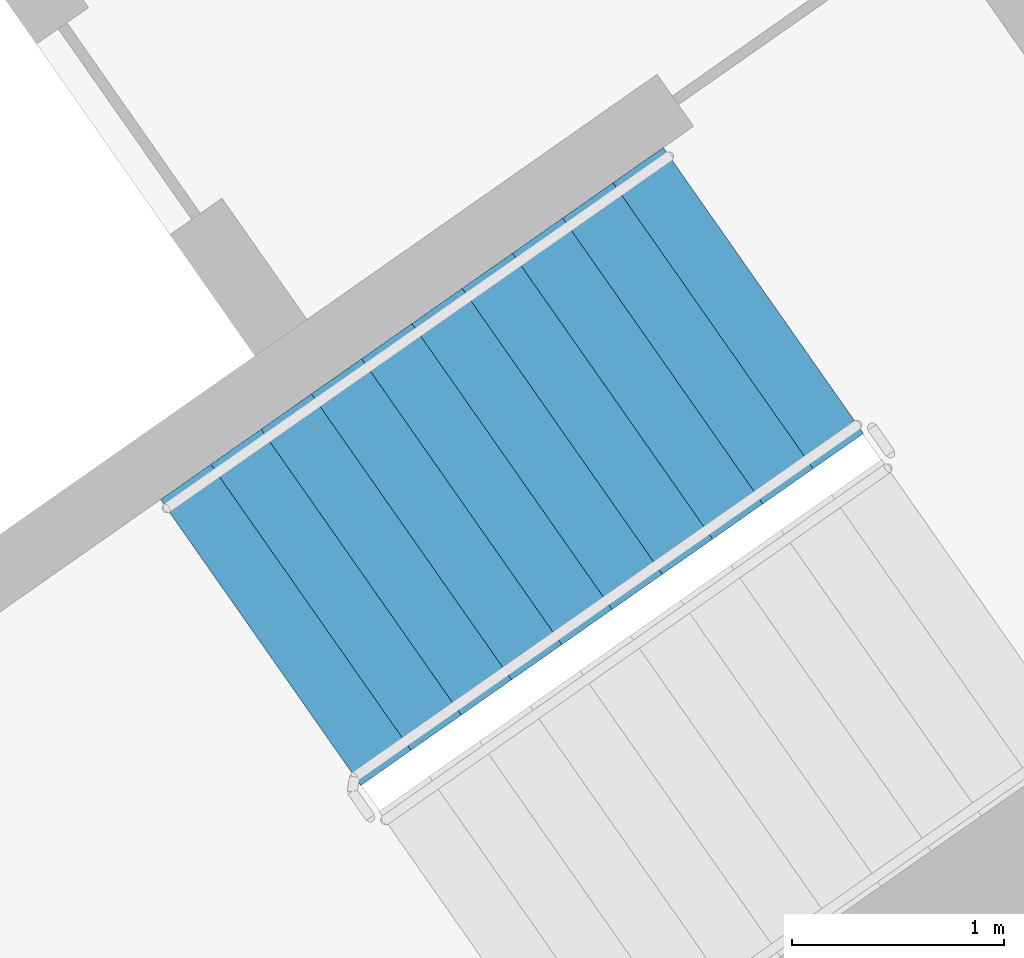
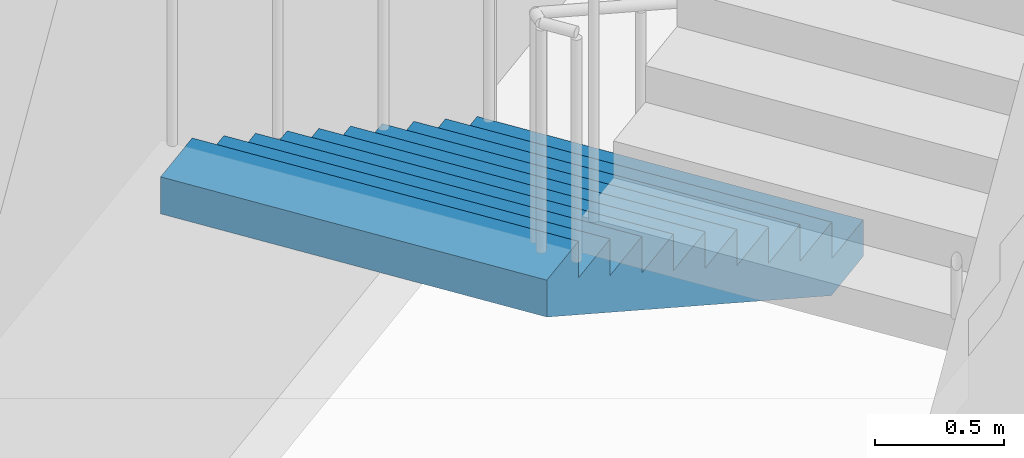
# One storey, part 13 of 28: 1 stair flight, 1 element without a shape of its own.
"""IFC4 building model written with IfcOpenShell, lengths in metres."""

from ifc_helpers import new_model, si_unit, direction, frame, origin, place, context, subcontext, project, spatial, faceted_brep, material, type_object, element, aggregate, save


model = new_model("IFC4")

# Units and contexts
model_context = context("Model", 3, precision=1e-05, world=origin(), true_north=direction((0.0, 1.0)))
body_context = subcontext(model_context, "Body", "Model", "MODEL_VIEW")
ifc_project = project(units=[si_unit("LENGTHUNIT", "METRE"), si_unit("AREAUNIT", "SQUARE_METRE"), si_unit("VOLUMEUNIT", "CUBIC_METRE"), si_unit("PLANEANGLEUNIT", "RADIAN"), si_unit("MASSUNIT", "GRAM", prefix="KILO")], contexts=[model_context])

# Site, building, storey
site_placement = place(None, origin())
site = spatial("IfcSite", under=ifc_project, at=site_placement, CompositionType="ELEMENT")
building_placement = place(site_placement, origin())
building = spatial("IfcBuilding", under=site, at=building_placement, Name="Qamariyya Broadcast Tower", CompositionType="ELEMENT")
storey_placement = place(building_placement, frame((0.0, 0.0, 245.5)))
storey = spatial("IfcBuildingStorey", under=building, at=storey_placement, Name="L59", CompositionType="ELEMENT", Elevation=245.5)

# Stair, stair flight
ifc_material = material(Name="Concrete C50/60", Category="concrete")
stair_type = type_object("IfcStairType", Name="Exit stair 22 risers of 173 mm", PredefinedType="HALF_TURN_STAIR", material=ifc_material)
stair_placement = place(storey_placement, origin())
stair = element("IfcStair", 1, at=stair_placement, inside=storey, type_object=stair_type, Name="L59 Stair E1", PredefinedType="HALF_TURN_STAIR")
stair_flight_type = type_object("IfcStairFlightType", Name="Exit stair flight 11 risers of 173 mm", PredefinedType="STRAIGHT", material=ifc_material)
stair_flight_placement = place(storey_placement, frame((46.036376953125, -55.508056640625, 0.0), z_axis=(0.0, 0.0, 1.0), x_axis=(-0.819152044289, -0.573576436351, 0.0)))
stair_flight = element("IfcStairFlight", 2, at=stair_flight_placement, type_object=stair_flight_type, Name="ST-E1 flight 1", NumberOfRisers=11, NumberOfTreads=10, PredefinedType="STRAIGHT", RiserHeight=0.172727273, TreadLength=0.29, context=body_context, shape_type="Brep", body=[
    faceted_brep([(0.0, 0.824951171875, 0.0), (0.0, 0.824951171875, 0.172607421875), (0.2900390625, 0.824951171875, 0.172607421875), (0.2900390625, 0.824951171875, 0.345458984375), (0.580078125, 0.824951171875, 0.345458984375), (0.580078125, 0.824951171875, 0.51806640625), (0.8701171875, 0.824951171875, 0.51806640625), (0.8701171875, 0.824951171875, 0.69091796875), (1.159912109375, 0.824951171875, 0.69091796875), (1.159912109375, 0.824951171875, 0.863525390625), (1.449951171875, 0.824951171875, 0.863525390625), (1.449951171875, 0.824951171875, 1.036376953125), (1.739990234375, 0.824951171875, 1.036376953125), (1.739990234375, 0.824951171875, 1.208984375), (2.030029296875, 0.824951171875, 1.208984375), (2.030029296875, 0.824951171875, 1.3818359375), (2.320068359375, 0.824951171875, 1.3818359375), (2.320068359375, 0.824951171875, 1.554443359375), (2.610107421875, 0.824951171875, 1.554443359375), (2.610107421875, 0.824951171875, 1.727294921875), (2.89990234375, 0.824951171875, 1.727294921875), (2.89990234375, 0.824951171875, 1.552734375), (0.29296875, 0.824951171875, 0.0), (0.29296875, -0.824951171875, 0.0), (2.89990234375, -0.824951171875, 1.552734375), (2.89990234375, -0.824951171875, 1.727294921875), (2.610107421875, -0.824951171875, 1.727294921875), (2.610107421875, -0.824951171875, 1.554443359375), (2.320068359375, -0.824951171875, 1.554443359375), (2.320068359375, -0.824951171875, 1.3818359375), (2.030029296875, -0.824951171875, 1.3818359375), (2.030029296875, -0.824951171875, 1.208984375), (1.739990234375, -0.824951171875, 1.208984375), (1.739990234375, -0.824951171875, 1.036376953125), (1.449951171875, -0.824951171875, 1.036376953125), (1.449951171875, -0.824951171875, 0.863525390625), (1.159912109375, -0.824951171875, 0.863525390625), (1.159912109375, -0.824951171875, 0.69091796875), (0.8701171875, -0.824951171875, 0.69091796875), (0.8701171875, -0.824951171875, 0.51806640625), (0.580078125, -0.824951171875, 0.51806640625), (0.580078125, -0.824951171875, 0.345458984375), (0.2900390625, -0.824951171875, 0.345458984375), (0.2900390625, -0.824951171875, 0.172607421875), (0.0, -0.824951171875, 0.172607421875), (0.0, -0.824951171875, 0.0), (0.0, 0.10009765625, 0.0), (0.0, 0.086669921875, 0.0), (0.0, 0.0732421875, 0.0), (0.0, 0.06005859375, 0.0), (0.0, 0.046630859375, 0.0), (0.0, 0.033447265625, 0.0), (0.0, 0.02001953125, 0.0), (0.0, 0.006591796875, 0.0), (0.0, -0.006591796875, 0.0), (0.0, -0.02001953125, 0.0), (0.0, -0.033447265625, 0.0), (0.0, -0.046630859375, 0.0), (0.0, -0.06005859375, 0.0), (0.0, -0.0732421875, 0.0), (0.0, -0.086669921875, 0.0), (0.0, -0.10009765625, 0.0), (0.0, -0.10009765625, 0.172607421875), (0.0, -0.086669921875, 0.172607421875), (0.0, -0.0732421875, 0.172607421875), (0.0, -0.06005859375, 0.172607421875), (0.0, -0.046630859375, 0.172607421875), (0.0, -0.033447265625, 0.172607421875), (0.0, -0.02001953125, 0.172607421875), (0.0, -0.006591796875, 0.172607421875), (0.0, 0.006591796875, 0.172607421875), (0.0, 0.02001953125, 0.172607421875), (0.0, 0.033447265625, 0.172607421875), (0.0, 0.046630859375, 0.172607421875), (0.0, 0.06005859375, 0.172607421875), (0.0, 0.0732421875, 0.172607421875), (0.0, 0.086669921875, 0.172607421875), (0.0, 0.10009765625, 0.172607421875), (0.2900390625, -0.10009765625, 0.172607421875), (0.2900390625, -0.086669921875, 0.172607421875), (0.2900390625, -0.0732421875, 0.172607421875), (0.2900390625, -0.06005859375, 0.172607421875), (0.2900390625, -0.046630859375, 0.172607421875), (0.2900390625, -0.033447265625, 0.172607421875), (0.2900390625, -0.02001953125, 0.172607421875), (0.2900390625, -0.006591796875, 0.172607421875), (0.2900390625, 0.006591796875, 0.172607421875), (0.2900390625, 0.02001953125, 0.172607421875), (0.2900390625, 0.033447265625, 0.172607421875), (0.2900390625, 0.046630859375, 0.172607421875), (0.2900390625, 0.06005859375, 0.172607421875), (0.2900390625, 0.0732421875, 0.172607421875), (0.2900390625, 0.086669921875, 0.172607421875), (0.2900390625, 0.10009765625, 0.172607421875), (0.2900390625, -0.10009765625, 0.345458984375), (0.2900390625, -0.086669921875, 0.345458984375), (0.2900390625, -0.0732421875, 0.345458984375), (0.2900390625, -0.06005859375, 0.345458984375), (0.2900390625, -0.046630859375, 0.345458984375), (0.2900390625, -0.033447265625, 0.345458984375), (0.2900390625, -0.02001953125, 0.345458984375), (0.2900390625, -0.006591796875, 0.345458984375), (0.2900390625, 0.006591796875, 0.345458984375), (0.2900390625, 0.02001953125, 0.345458984375), (0.2900390625, 0.033447265625, 0.345458984375), (0.2900390625, 0.046630859375, 0.345458984375), (0.2900390625, 0.06005859375, 0.345458984375), (0.2900390625, 0.0732421875, 0.345458984375), (0.2900390625, 0.086669921875, 0.345458984375), (0.2900390625, 0.10009765625, 0.345458984375), (0.580078125, -0.10009765625, 0.345458984375), (0.580078125, -0.086669921875, 0.345458984375), (0.580078125, -0.0732421875, 0.345458984375), (0.580078125, -0.06005859375, 0.345458984375), (0.580078125, -0.046630859375, 0.345458984375), (0.580078125, -0.033447265625, 0.345458984375), (0.580078125, -0.02001953125, 0.345458984375), (0.580078125, -0.006591796875, 0.345458984375), (0.580078125, 0.006591796875, 0.345458984375), (0.580078125, 0.02001953125, 0.345458984375), (0.580078125, 0.033447265625, 0.345458984375), (0.580078125, 0.046630859375, 0.345458984375), (0.580078125, 0.06005859375, 0.345458984375), (0.580078125, 0.0732421875, 0.345458984375), (0.580078125, 0.086669921875, 0.345458984375), (0.580078125, 0.10009765625, 0.345458984375), (0.580078125, -0.10009765625, 0.51806640625), (0.580078125, -0.086669921875, 0.51806640625), (0.580078125, -0.0732421875, 0.51806640625), (0.580078125, -0.06005859375, 0.51806640625), (0.580078125, -0.046630859375, 0.51806640625), (0.580078125, -0.033447265625, 0.51806640625), (0.580078125, -0.02001953125, 0.51806640625), (0.580078125, -0.006591796875, 0.51806640625), (0.580078125, 0.006591796875, 0.51806640625), (0.580078125, 0.02001953125, 0.51806640625), (0.580078125, 0.033447265625, 0.51806640625), (0.580078125, 0.046630859375, 0.51806640625), (0.580078125, 0.06005859375, 0.51806640625), (0.580078125, 0.0732421875, 0.51806640625), (0.580078125, 0.086669921875, 0.51806640625), (0.580078125, 0.10009765625, 0.51806640625), (0.8701171875, -0.10009765625, 0.51806640625), (0.8701171875, -0.086669921875, 0.51806640625), (0.8701171875, -0.0732421875, 0.51806640625), (0.8701171875, -0.06005859375, 0.51806640625), (0.8701171875, -0.046630859375, 0.51806640625), (0.8701171875, -0.033447265625, 0.51806640625), (0.8701171875, -0.02001953125, 0.51806640625), (0.8701171875, -0.006591796875, 0.51806640625), (0.8701171875, 0.006591796875, 0.51806640625), (0.8701171875, 0.02001953125, 0.51806640625), (0.8701171875, 0.033447265625, 0.51806640625), (0.8701171875, 0.046630859375, 0.51806640625), (0.8701171875, 0.06005859375, 0.51806640625), (0.8701171875, 0.0732421875, 0.51806640625), (0.8701171875, 0.086669921875, 0.51806640625), (0.8701171875, 0.10009765625, 0.51806640625), (0.8701171875, -0.10009765625, 0.69091796875), (0.8701171875, -0.086669921875, 0.69091796875), (0.8701171875, -0.0732421875, 0.69091796875), (0.8701171875, -0.06005859375, 0.69091796875), (0.8701171875, -0.046630859375, 0.69091796875), (0.8701171875, -0.033447265625, 0.69091796875), (0.8701171875, -0.02001953125, 0.69091796875), (0.8701171875, -0.006591796875, 0.69091796875), (0.8701171875, 0.006591796875, 0.69091796875), (0.8701171875, 0.02001953125, 0.69091796875), (0.8701171875, 0.033447265625, 0.69091796875), (0.8701171875, 0.046630859375, 0.69091796875), (0.8701171875, 0.06005859375, 0.69091796875), (0.8701171875, 0.0732421875, 0.69091796875), (0.8701171875, 0.086669921875, 0.69091796875), (0.8701171875, 0.10009765625, 0.69091796875), (1.159912109375, -0.10009765625, 0.69091796875), (1.159912109375, -0.086669921875, 0.69091796875), (1.159912109375, -0.0732421875, 0.69091796875), (1.159912109375, -0.06005859375, 0.69091796875), (1.159912109375, -0.046630859375, 0.69091796875), (1.159912109375, -0.033447265625, 0.69091796875), (1.159912109375, -0.02001953125, 0.69091796875), (1.159912109375, -0.006591796875, 0.69091796875), (1.159912109375, 0.006591796875, 0.69091796875), (1.159912109375, 0.02001953125, 0.69091796875), (1.159912109375, 0.033447265625, 0.69091796875), (1.159912109375, 0.046630859375, 0.69091796875), (1.159912109375, 0.06005859375, 0.69091796875), (1.159912109375, 0.0732421875, 0.69091796875), (1.159912109375, 0.086669921875, 0.69091796875), (1.159912109375, 0.10009765625, 0.69091796875), (1.159912109375, -0.10009765625, 0.863525390625), (1.159912109375, -0.086669921875, 0.863525390625), (1.159912109375, -0.0732421875, 0.863525390625), (1.159912109375, -0.06005859375, 0.863525390625), (1.159912109375, -0.046630859375, 0.863525390625), (1.159912109375, -0.033447265625, 0.863525390625), (1.159912109375, -0.02001953125, 0.863525390625), (1.159912109375, -0.006591796875, 0.863525390625), (1.159912109375, 0.006591796875, 0.863525390625), (1.159912109375, 0.02001953125, 0.863525390625), (1.159912109375, 0.033447265625, 0.863525390625), (1.159912109375, 0.046630859375, 0.863525390625), (1.159912109375, 0.06005859375, 0.863525390625), (1.159912109375, 0.0732421875, 0.863525390625), (1.159912109375, 0.086669921875, 0.863525390625), (1.159912109375, 0.10009765625, 0.863525390625), (1.449951171875, -0.10009765625, 0.863525390625), (1.449951171875, -0.086669921875, 0.863525390625), (1.449951171875, -0.0732421875, 0.863525390625), (1.449951171875, -0.06005859375, 0.863525390625), (1.449951171875, -0.046630859375, 0.863525390625), (1.449951171875, -0.033447265625, 0.863525390625), (1.449951171875, -0.02001953125, 0.863525390625), (1.449951171875, -0.006591796875, 0.863525390625), (1.449951171875, 0.006591796875, 0.863525390625), (1.449951171875, 0.02001953125, 0.863525390625), (1.449951171875, 0.033447265625, 0.863525390625), (1.449951171875, 0.046630859375, 0.863525390625), (1.449951171875, 0.06005859375, 0.863525390625), (1.449951171875, 0.0732421875, 0.863525390625), (1.449951171875, 0.086669921875, 0.863525390625), (1.449951171875, 0.10009765625, 0.863525390625), (1.449951171875, -0.10009765625, 1.036376953125), (1.449951171875, -0.086669921875, 1.036376953125), (1.449951171875, -0.0732421875, 1.036376953125), (1.449951171875, -0.06005859375, 1.036376953125), (1.449951171875, -0.046630859375, 1.036376953125), (1.449951171875, -0.033447265625, 1.036376953125), (1.449951171875, -0.02001953125, 1.036376953125), (1.449951171875, -0.006591796875, 1.036376953125), (1.449951171875, 0.006591796875, 1.036376953125), (1.449951171875, 0.02001953125, 1.036376953125), (1.449951171875, 0.033447265625, 1.036376953125), (1.449951171875, 0.046630859375, 1.036376953125), (1.449951171875, 0.06005859375, 1.036376953125), (1.449951171875, 0.0732421875, 1.036376953125), (1.449951171875, 0.086669921875, 1.036376953125), (1.449951171875, 0.10009765625, 1.036376953125), (1.739990234375, -0.10009765625, 1.036376953125), (1.739990234375, -0.086669921875, 1.036376953125), (1.739990234375, -0.0732421875, 1.036376953125), (1.739990234375, -0.06005859375, 1.036376953125), (1.739990234375, -0.046630859375, 1.036376953125), (1.739990234375, -0.033447265625, 1.036376953125), (1.739990234375, -0.02001953125, 1.036376953125), (1.739990234375, -0.006591796875, 1.036376953125), (1.739990234375, 0.006591796875, 1.036376953125), (1.739990234375, 0.02001953125, 1.036376953125), (1.739990234375, 0.033447265625, 1.036376953125), (1.739990234375, 0.046630859375, 1.036376953125), (1.739990234375, 0.06005859375, 1.036376953125), (1.739990234375, 0.0732421875, 1.036376953125), (1.739990234375, 0.086669921875, 1.036376953125), (1.739990234375, 0.10009765625, 1.036376953125), (1.739990234375, -0.10009765625, 1.208984375), (1.739990234375, -0.086669921875, 1.208984375), (1.739990234375, -0.0732421875, 1.208984375), (1.739990234375, -0.06005859375, 1.208984375), (1.739990234375, -0.046630859375, 1.208984375), (1.739990234375, -0.033447265625, 1.208984375), (1.739990234375, -0.02001953125, 1.208984375), (1.739990234375, -0.006591796875, 1.208984375), (1.739990234375, 0.006591796875, 1.208984375), (1.739990234375, 0.02001953125, 1.208984375), (1.739990234375, 0.033447265625, 1.208984375), (1.739990234375, 0.046630859375, 1.208984375), (1.739990234375, 0.06005859375, 1.208984375), (1.739990234375, 0.0732421875, 1.208984375), (1.739990234375, 0.086669921875, 1.208984375), (1.739990234375, 0.10009765625, 1.208984375), (2.030029296875, -0.10009765625, 1.208984375), (2.030029296875, -0.086669921875, 1.208984375), (2.030029296875, -0.0732421875, 1.208984375), (2.030029296875, -0.06005859375, 1.208984375), (2.030029296875, -0.046630859375, 1.208984375), (2.030029296875, -0.033447265625, 1.208984375), (2.030029296875, -0.02001953125, 1.208984375), (2.030029296875, -0.006591796875, 1.208984375), (2.030029296875, 0.006591796875, 1.208984375), (2.030029296875, 0.02001953125, 1.208984375), (2.030029296875, 0.033447265625, 1.208984375), (2.030029296875, 0.046630859375, 1.208984375), (2.030029296875, 0.06005859375, 1.208984375), (2.030029296875, 0.0732421875, 1.208984375), (2.030029296875, 0.086669921875, 1.208984375), (2.030029296875, 0.10009765625, 1.208984375), (2.030029296875, -0.10009765625, 1.3818359375), (2.030029296875, -0.086669921875, 1.3818359375), (2.030029296875, -0.0732421875, 1.3818359375), (2.030029296875, -0.06005859375, 1.3818359375), (2.030029296875, -0.046630859375, 1.3818359375), (2.030029296875, -0.033447265625, 1.3818359375), (2.030029296875, -0.02001953125, 1.3818359375), (2.030029296875, -0.006591796875, 1.3818359375), (2.030029296875, 0.006591796875, 1.3818359375), (2.030029296875, 0.02001953125, 1.3818359375), (2.030029296875, 0.033447265625, 1.3818359375), (2.030029296875, 0.046630859375, 1.3818359375), (2.030029296875, 0.06005859375, 1.3818359375), (2.030029296875, 0.0732421875, 1.3818359375), (2.030029296875, 0.086669921875, 1.3818359375), (2.030029296875, 0.10009765625, 1.3818359375), (2.320068359375, -0.10009765625, 1.3818359375), (2.320068359375, -0.086669921875, 1.3818359375), (2.320068359375, -0.0732421875, 1.3818359375), (2.320068359375, -0.06005859375, 1.3818359375), (2.320068359375, -0.046630859375, 1.3818359375), (2.320068359375, -0.033447265625, 1.3818359375), (2.320068359375, -0.02001953125, 1.3818359375), (2.320068359375, -0.006591796875, 1.3818359375), (2.320068359375, 0.006591796875, 1.3818359375), (2.320068359375, 0.02001953125, 1.3818359375), (2.320068359375, 0.033447265625, 1.3818359375), (2.320068359375, 0.046630859375, 1.3818359375), (2.320068359375, 0.06005859375, 1.3818359375), (2.320068359375, 0.0732421875, 1.3818359375), (2.320068359375, 0.086669921875, 1.3818359375), (2.320068359375, 0.10009765625, 1.3818359375), (2.320068359375, -0.10009765625, 1.554443359375), (2.320068359375, -0.086669921875, 1.554443359375), (2.320068359375, -0.0732421875, 1.554443359375), (2.320068359375, -0.06005859375, 1.554443359375), (2.320068359375, -0.046630859375, 1.554443359375), (2.320068359375, -0.033447265625, 1.554443359375), (2.320068359375, -0.02001953125, 1.554443359375), (2.320068359375, -0.006591796875, 1.554443359375), (2.320068359375, 0.006591796875, 1.554443359375), (2.320068359375, 0.02001953125, 1.554443359375), (2.320068359375, 0.033447265625, 1.554443359375), (2.320068359375, 0.046630859375, 1.554443359375), (2.320068359375, 0.06005859375, 1.554443359375), (2.320068359375, 0.0732421875, 1.554443359375), (2.320068359375, 0.086669921875, 1.554443359375), (2.320068359375, 0.10009765625, 1.554443359375), (2.610107421875, -0.10009765625, 1.554443359375), (2.610107421875, -0.086669921875, 1.554443359375), (2.610107421875, -0.0732421875, 1.554443359375), (2.610107421875, -0.06005859375, 1.554443359375), (2.610107421875, -0.046630859375, 1.554443359375), (2.610107421875, -0.033447265625, 1.554443359375), (2.610107421875, -0.02001953125, 1.554443359375), (2.610107421875, -0.006591796875, 1.554443359375), (2.610107421875, 0.006591796875, 1.554443359375), (2.610107421875, 0.02001953125, 1.554443359375), (2.610107421875, 0.033447265625, 1.554443359375), (2.610107421875, 0.046630859375, 1.554443359375), (2.610107421875, 0.06005859375, 1.554443359375), (2.610107421875, 0.0732421875, 1.554443359375), (2.610107421875, 0.086669921875, 1.554443359375), (2.610107421875, 0.10009765625, 1.554443359375), (2.610107421875, -0.10009765625, 1.727294921875), (2.610107421875, -0.086669921875, 1.727294921875), (2.610107421875, -0.0732421875, 1.727294921875), (2.610107421875, -0.06005859375, 1.727294921875), (2.610107421875, -0.046630859375, 1.727294921875), (2.610107421875, -0.033447265625, 1.727294921875), (2.610107421875, -0.02001953125, 1.727294921875), (2.610107421875, -0.006591796875, 1.727294921875), (2.610107421875, 0.006591796875, 1.727294921875), (2.610107421875, 0.02001953125, 1.727294921875), (2.610107421875, 0.033447265625, 1.727294921875), (2.610107421875, 0.046630859375, 1.727294921875), (2.610107421875, 0.06005859375, 1.727294921875), (2.610107421875, 0.0732421875, 1.727294921875), (2.610107421875, 0.086669921875, 1.727294921875), (2.610107421875, 0.10009765625, 1.727294921875), (2.89990234375, -0.10009765625, 1.727294921875), (2.89990234375, -0.086669921875, 1.727294921875), (2.89990234375, -0.0732421875, 1.727294921875), (2.89990234375, -0.06005859375, 1.727294921875), (2.89990234375, -0.046630859375, 1.727294921875), (2.89990234375, -0.033447265625, 1.727294921875), (2.89990234375, -0.02001953125, 1.727294921875), (2.89990234375, -0.006591796875, 1.727294921875), (2.89990234375, 0.006591796875, 1.727294921875), (2.89990234375, 0.02001953125, 1.727294921875), (2.89990234375, 0.033447265625, 1.727294921875), (2.89990234375, 0.046630859375, 1.727294921875), (2.89990234375, 0.06005859375, 1.727294921875), (2.89990234375, 0.0732421875, 1.727294921875), (2.89990234375, 0.086669921875, 1.727294921875), (2.89990234375, 0.10009765625, 1.727294921875), (2.89990234375, -0.10009765625, 1.552734375), (2.89990234375, -0.086669921875, 1.552734375), (2.89990234375, -0.0732421875, 1.552734375), (2.89990234375, -0.06005859375, 1.552734375), (2.89990234375, -0.046630859375, 1.552734375), (2.89990234375, -0.033447265625, 1.552734375), (2.89990234375, -0.02001953125, 1.552734375), (2.89990234375, -0.006591796875, 1.552734375), (2.89990234375, 0.006591796875, 1.552734375), (2.89990234375, 0.02001953125, 1.552734375), (2.89990234375, 0.033447265625, 1.552734375), (2.89990234375, 0.046630859375, 1.552734375), (2.89990234375, 0.06005859375, 1.552734375), (2.89990234375, 0.0732421875, 1.552734375), (2.89990234375, 0.086669921875, 1.552734375), (2.89990234375, 0.10009765625, 1.552734375), (0.29296875, -0.10009765625, 0.0), (0.29296875, -0.086669921875, 0.0), (0.29296875, -0.0732421875, 0.0), (0.29296875, -0.06005859375, 0.0), (0.29296875, -0.046630859375, 0.0), (0.29296875, -0.033447265625, 0.0), (0.29296875, -0.02001953125, 0.0), (0.29296875, -0.006591796875, 0.0), (0.29296875, 0.006591796875, 0.0), (0.29296875, 0.02001953125, 0.0), (0.29296875, 0.033447265625, 0.0), (0.29296875, 0.046630859375, 0.0), (0.29296875, 0.06005859375, 0.0), (0.29296875, 0.0732421875, 0.0), (0.29296875, 0.086669921875, 0.0), (0.29296875, 0.10009765625, 0.0)], [[[0, 1, 2, 3, 4, 5, 6, 7, 8, 9, 10, 11, 12, 13, 14, 15, 16, 17, 18, 19, 20, 21, 22]], [[23, 24, 25, 26, 27, 28, 29, 30, 31, 32, 33, 34, 35, 36, 37, 38, 39, 40, 41, 42, 43, 44, 45]], [[0, 46, 47, 48, 49, 50, 51, 52, 53, 54, 55, 56, 57, 58, 59, 60, 61, 45, 44, 62, 63, 64, 65, 66, 67, 68, 69, 70, 71, 72, 73, 74, 75, 76, 77, 1]], [[1, 77, 76, 75, 74, 73, 72, 71, 70, 69, 68, 67, 66, 65, 64, 63, 62, 44, 43, 78, 79, 80, 81, 82, 83, 84, 85, 86, 87, 88, 89, 90, 91, 92, 93, 2]], [[2, 93, 92, 91, 90, 89, 88, 87, 86, 85, 84, 83, 82, 81, 80, 79, 78, 43, 42, 94, 95, 96, 97, 98, 99, 100, 101, 102, 103, 104, 105, 106, 107, 108, 109, 3]], [[3, 109, 108, 107, 106, 105, 104, 103, 102, 101, 100, 99, 98, 97, 96, 95, 94, 42, 41, 110, 111, 112, 113, 114, 115, 116, 117, 118, 119, 120, 121, 122, 123, 124, 125, 4]], [[4, 125, 124, 123, 122, 121, 120, 119, 118, 117, 116, 115, 114, 113, 112, 111, 110, 41, 40, 126, 127, 128, 129, 130, 131, 132, 133, 134, 135, 136, 137, 138, 139, 140, 141, 5]], [[5, 141, 140, 139, 138, 137, 136, 135, 134, 133, 132, 131, 130, 129, 128, 127, 126, 40, 39, 142, 143, 144, 145, 146, 147, 148, 149, 150, 151, 152, 153, 154, 155, 156, 157, 6]], [[6, 157, 156, 155, 154, 153, 152, 151, 150, 149, 148, 147, 146, 145, 144, 143, 142, 39, 38, 158, 159, 160, 161, 162, 163, 164, 165, 166, 167, 168, 169, 170, 171, 172, 173, 7]], [[7, 173, 172, 171, 170, 169, 168, 167, 166, 165, 164, 163, 162, 161, 160, 159, 158, 38, 37, 174, 175, 176, 177, 178, 179, 180, 181, 182, 183, 184, 185, 186, 187, 188, 189, 8]], [[8, 189, 188, 187, 186, 185, 184, 183, 182, 181, 180, 179, 178, 177, 176, 175, 174, 37, 36, 190, 191, 192, 193, 194, 195, 196, 197, 198, 199, 200, 201, 202, 203, 204, 205, 9]], [[9, 205, 204, 203, 202, 201, 200, 199, 198, 197, 196, 195, 194, 193, 192, 191, 190, 36, 35, 206, 207, 208, 209, 210, 211, 212, 213, 214, 215, 216, 217, 218, 219, 220, 221, 10]], [[10, 221, 220, 219, 218, 217, 216, 215, 214, 213, 212, 211, 210, 209, 208, 207, 206, 35, 34, 222, 223, 224, 225, 226, 227, 228, 229, 230, 231, 232, 233, 234, 235, 236, 237, 11]], [[11, 237, 236, 235, 234, 233, 232, 231, 230, 229, 228, 227, 226, 225, 224, 223, 222, 34, 33, 238, 239, 240, 241, 242, 243, 244, 245, 246, 247, 248, 249, 250, 251, 252, 253, 12]], [[12, 253, 252, 251, 250, 249, 248, 247, 246, 245, 244, 243, 242, 241, 240, 239, 238, 33, 32, 254, 255, 256, 257, 258, 259, 260, 261, 262, 263, 264, 265, 266, 267, 268, 269, 13]], [[13, 269, 268, 267, 266, 265, 264, 263, 262, 261, 260, 259, 258, 257, 256, 255, 254, 32, 31, 270, 271, 272, 273, 274, 275, 276, 277, 278, 279, 280, 281, 282, 283, 284, 285, 14]], [[14, 285, 284, 283, 282, 281, 280, 279, 278, 277, 276, 275, 274, 273, 272, 271, 270, 31, 30, 286, 287, 288, 289, 290, 291, 292, 293, 294, 295, 296, 297, 298, 299, 300, 301, 15]], [[15, 301, 300, 299, 298, 297, 296, 295, 294, 293, 292, 291, 290, 289, 288, 287, 286, 30, 29, 302, 303, 304, 305, 306, 307, 308, 309, 310, 311, 312, 313, 314, 315, 316, 317, 16]], [[16, 317, 316, 315, 314, 313, 312, 311, 310, 309, 308, 307, 306, 305, 304, 303, 302, 29, 28, 318, 319, 320, 321, 322, 323, 324, 325, 326, 327, 328, 329, 330, 331, 332, 333, 17]], [[17, 333, 332, 331, 330, 329, 328, 327, 326, 325, 324, 323, 322, 321, 320, 319, 318, 28, 27, 334, 335, 336, 337, 338, 339, 340, 341, 342, 343, 344, 345, 346, 347, 348, 349, 18]], [[18, 349, 348, 347, 346, 345, 344, 343, 342, 341, 340, 339, 338, 337, 336, 335, 334, 27, 26, 350, 351, 352, 353, 354, 355, 356, 357, 358, 359, 360, 361, 362, 363, 364, 365, 19]], [[19, 365, 364, 363, 362, 361, 360, 359, 358, 357, 356, 355, 354, 353, 352, 351, 350, 26, 25, 366, 367, 368, 369, 370, 371, 372, 373, 374, 375, 376, 377, 378, 379, 380, 381, 20]], [[20, 381, 380, 379, 378, 377, 376, 375, 374, 373, 372, 371, 370, 369, 368, 367, 366, 25, 24, 382, 383, 384, 385, 386, 387, 388, 389, 390, 391, 392, 393, 394, 395, 396, 397, 21]], [[21, 397, 396, 395, 394, 393, 392, 391, 390, 389, 388, 387, 386, 385, 384, 383, 382, 24, 23, 398, 399, 400, 401, 402, 403, 404, 405, 406, 407, 408, 409, 410, 411, 412, 413, 22]], [[22, 413, 412, 411, 410, 409, 408, 407, 406, 405, 404, 403, 402, 401, 400, 399, 398, 23, 45, 61, 60, 59, 58, 57, 56, 55, 54, 53, 52, 51, 50, 49, 48, 47, 46, 0]]]),
])
aggregate(stair, [stair_flight])

save(model, "model.ifc")
